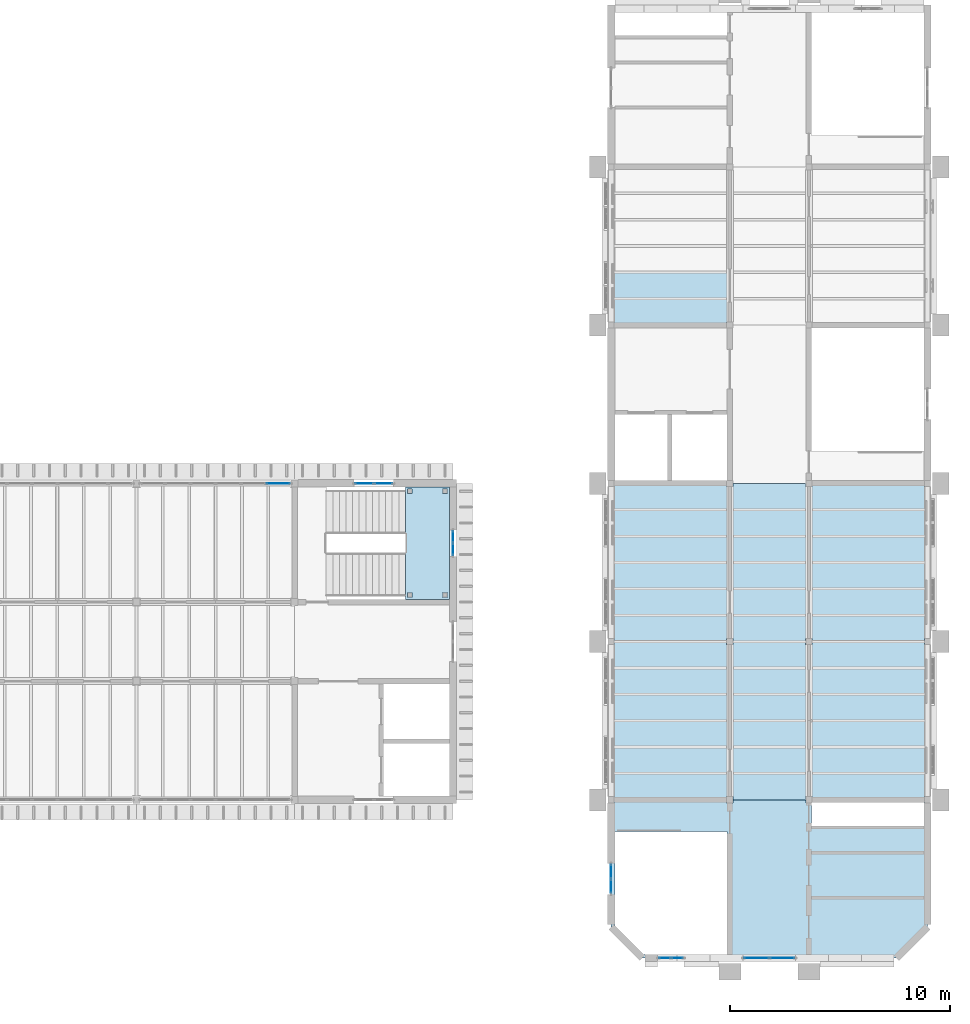
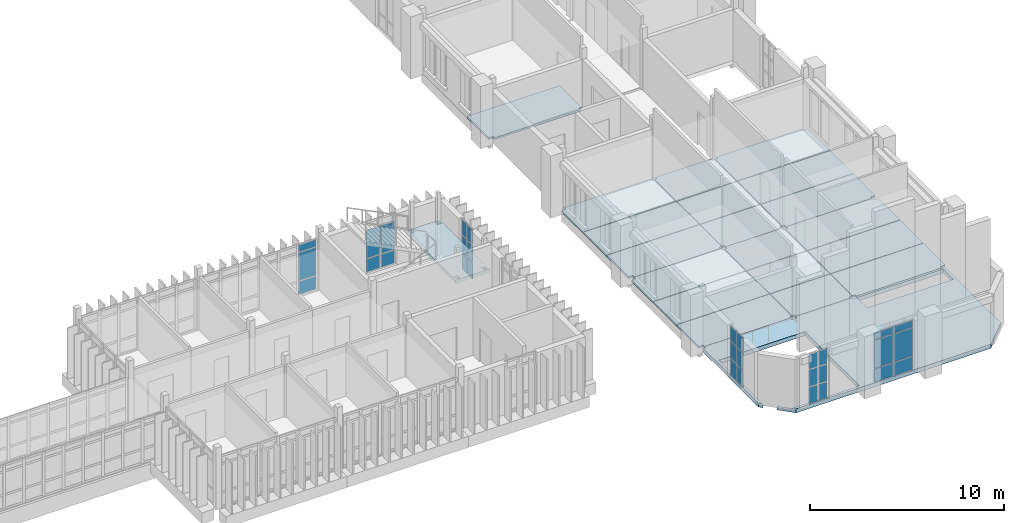
# One storey, part 36 of 71: 31 plates, 21 slabs, 7 elements without a shape of their own.
"""IFC4 building model written with IfcOpenShell, lengths in metres."""

from ifc_helpers import new_model, si_unit, direction, frame, origin, origin_2d, place, context, subcontext, project, spatial, polyline, rectangle, outline, extrude, material, layer, layer_set, type_object, element, aggregate, save


model = new_model("IFC4")

# Units and contexts
model_context = context("Model", 3, precision=1e-05, world=origin(), true_north=direction((0.0, 1.0)))
body_context = subcontext(model_context, "Body", "Model", "MODEL_VIEW")
ifc_project = project(units=[si_unit("LENGTHUNIT", "METRE"), si_unit("AREAUNIT", "SQUARE_METRE"), si_unit("VOLUMEUNIT", "CUBIC_METRE"), si_unit("PLANEANGLEUNIT", "RADIAN"), si_unit("MASSUNIT", "GRAM", prefix="KILO")], contexts=[model_context])

# Site, building, storey
site_placement = place(None, origin())
site = spatial("IfcSite", under=ifc_project, at=site_placement, CompositionType="ELEMENT")
building_placement = place(site_placement, origin())
building = spatial("IfcBuilding", under=site, at=building_placement, Name="Mazhai Court Health Centre", CompositionType="ELEMENT")
storey_placement = place(building_placement, frame((0.0, 0.0, 10.199951171875)))
storey = spatial("IfcBuildingStorey", under=building, at=storey_placement, Name="L02", CompositionType="ELEMENT", Elevation=10.199951171875)

# Slabs
ifc_material_1 = material(Name="CLT C24 5-ply", Category="wood")
ifc_layer_1 = layer(ifc_material_1, 0.1201171875)
ifc_layer_set_1 = layer_set([ifc_layer_1], Name="CLT C24 5-ply 120 floor panel")
slab_type_1 = type_object("IfcSlabType", Name="CLT C24 5-ply 120 floor panel", PredefinedType="FLOOR", material=ifc_layer_set_1)
slab_1_placement = place(storey_placement, frame((0.0, 0.0, -0.119873046875)))
element("IfcSlab", 1, at=slab_1_placement, inside=storey, type_object=slab_type_1, Name="slab-V6-L02-b1-A0", PredefinedType="FLOOR", context=body_context, shape_type="SweptSolid", body=[
    extrude(outline(polyline([(135.679931640625, 15.7900390625), (135.679931640625, 13.550048828125), (135.949951171875, 13.550048828125), (135.949951171875, 13.39990234375), (141.050048828125, 13.39990234375), (141.050048828125, 13.550048828125), (141.18994140625, 13.550048828125), (141.18994140625, 15.7900390625), (135.679931640625, 15.7900390625)])), origin(), (0.0, 0.0, 1.0), 0.119873046875),
])
slab_2_placement = place(storey_placement, frame((0.0, 0.0, -0.119873046875)))
element("IfcSlab", 2, at=slab_2_placement, inside=storey, type_object=slab_type_1, Name="slab-V6-L02-b1-A1", PredefinedType="FLOOR", context=body_context, shape_type="SweptSolid", body=[
    extrude(outline(polyline([(135.679931640625, 15.81005859375), (141.18994140625, 15.81005859375), (141.18994140625, 18.18994140625), (135.679931640625, 18.18994140625), (135.679931640625, 15.81005859375)])), origin(), (0.0, 0.0, 1.0), 0.119873046875),
])
slab_3_placement = place(storey_placement, frame((0.0, 0.0, -0.119873046875)))
element("IfcSlab", 3, at=slab_3_placement, inside=storey, type_object=slab_type_1, Name="slab-V6-L02-b1-A2", PredefinedType="FLOOR", context=body_context, shape_type="SweptSolid", body=[
    extrude(outline(polyline([(141.18994140625, 18.2099609375), (141.18994140625, 20.449951171875), (141.050048828125, 20.449951171875), (141.050048828125, 20.60009765625), (135.949951171875, 20.60009765625), (135.949951171875, 20.449951171875), (135.679931640625, 20.449951171875), (135.679931640625, 18.2099609375), (141.18994140625, 18.2099609375)])), origin(), (0.0, 0.0, 1.0), 0.119873046875),
])
slab_4_placement = place(storey_placement, frame((0.0, 0.0, -0.119873046875)))
element("IfcSlab", 4, at=slab_4_placement, inside=storey, type_object=slab_type_1, Name="slab-V6-L02-b1-C0", PredefinedType="FLOOR", context=body_context, shape_type="SweptSolid", body=[
    extrude(outline(polyline([(141.2099609375, 15.7900390625), (141.2099609375, 13.550048828125), (141.35009765625, 13.550048828125), (141.35009765625, 13.39990234375), (144.64990234375, 13.39990234375), (144.64990234375, 13.550048828125), (144.7900390625, 13.550048828125), (144.7900390625, 15.7900390625), (141.2099609375, 15.7900390625)])), origin(), (0.0, 0.0, 1.0), 0.119873046875),
])
slab_5_placement = place(storey_placement, frame((0.0, 0.0, -0.119873046875)))
element("IfcSlab", 5, at=slab_5_placement, inside=storey, type_object=slab_type_1, Name="slab-V6-L02-b1-C1", PredefinedType="FLOOR", context=body_context, shape_type="SweptSolid", body=[
    extrude(outline(polyline([(141.2099609375, 15.81005859375), (144.7900390625, 15.81005859375), (144.7900390625, 18.18994140625), (141.2099609375, 18.18994140625), (141.2099609375, 15.81005859375)])), origin(), (0.0, 0.0, 1.0), 0.119873046875),
])
slab_6_placement = place(storey_placement, frame((0.0, 0.0, -0.119873046875)))
element("IfcSlab", 6, at=slab_6_placement, inside=storey, type_object=slab_type_1, Name="slab-V6-L02-b1-C2", PredefinedType="FLOOR", context=body_context, shape_type="SweptSolid", body=[
    extrude(outline(polyline([(144.7900390625, 18.2099609375), (144.7900390625, 20.449951171875), (144.64990234375, 20.449951171875), (144.64990234375, 20.60009765625), (141.35009765625, 20.60009765625), (141.35009765625, 20.449951171875), (141.2099609375, 20.449951171875), (141.2099609375, 18.2099609375), (144.7900390625, 18.2099609375)])), origin(), (0.0, 0.0, 1.0), 0.119873046875),
])
slab_7_placement = place(storey_placement, frame((0.0, 0.0, -0.119873046875)))
element("IfcSlab", 7, at=slab_7_placement, inside=storey, type_object=slab_type_1, Name="slab-V6-L02-b1-B0", PredefinedType="FLOOR", context=body_context, shape_type="SweptSolid", body=[
    extrude(outline(polyline([(144.81005859375, 15.7900390625), (144.81005859375, 13.550048828125), (144.949951171875, 13.550048828125), (144.949951171875, 13.39990234375), (150.050048828125, 13.39990234375), (150.050048828125, 13.550048828125), (150.320068359375, 13.550048828125), (150.320068359375, 15.7900390625), (144.81005859375, 15.7900390625)])), origin(), (0.0, 0.0, 1.0), 0.119873046875),
])
slab_8_placement = place(storey_placement, frame((0.0, 0.0, -0.119873046875)))
element("IfcSlab", 8, at=slab_8_placement, inside=storey, type_object=slab_type_1, Name="slab-V6-L02-b1-B1", PredefinedType="FLOOR", context=body_context, shape_type="SweptSolid", body=[
    extrude(outline(polyline([(144.81005859375, 15.81005859375), (150.320068359375, 15.81005859375), (150.320068359375, 18.18994140625), (144.81005859375, 18.18994140625), (144.81005859375, 15.81005859375)])), origin(), (0.0, 0.0, 1.0), 0.119873046875),
])
slab_9_placement = place(storey_placement, frame((0.0, 0.0, -0.119873046875)))
element("IfcSlab", 9, at=slab_9_placement, inside=storey, type_object=slab_type_1, Name="slab-V6-L02-b1-B2", PredefinedType="FLOOR", context=body_context, shape_type="SweptSolid", body=[
    extrude(outline(polyline([(150.320068359375, 18.2099609375), (150.320068359375, 20.449951171875), (150.050048828125, 20.449951171875), (150.050048828125, 20.60009765625), (144.949951171875, 20.60009765625), (144.949951171875, 20.449951171875), (144.81005859375, 20.449951171875), (144.81005859375, 18.2099609375), (150.320068359375, 18.2099609375)])), origin(), (0.0, 0.0, 1.0), 0.119873046875),
])
slab_10_placement = place(storey_placement, frame((0.0, 0.0, -0.119873046875)))
element("IfcSlab", 10, at=slab_10_placement, inside=storey, type_object=slab_type_1, Name="slab-V6-L02-b2-A0", PredefinedType="FLOOR", context=body_context, shape_type="SweptSolid", body=[
    extrude(outline(polyline([(135.679931640625, 22.989990234375), (135.679931640625, 20.75), (135.949951171875, 20.75), (135.949951171875, 20.60009765625), (141.050048828125, 20.60009765625), (141.050048828125, 20.75), (141.18994140625, 20.75), (141.18994140625, 22.989990234375), (135.679931640625, 22.989990234375)])), origin(), (0.0, 0.0, 1.0), 0.119873046875),
])
slab_11_placement = place(storey_placement, frame((0.0, 0.0, -0.119873046875)))
element("IfcSlab", 11, at=slab_11_placement, inside=storey, type_object=slab_type_1, Name="slab-V6-L02-b2-A1", PredefinedType="FLOOR", context=body_context, shape_type="SweptSolid", body=[
    extrude(outline(polyline([(135.679931640625, 23.010009765625), (141.18994140625, 23.010009765625), (141.18994140625, 25.389892578125), (135.679931640625, 25.389892578125), (135.679931640625, 23.010009765625)])), origin(), (0.0, 0.0, 1.0), 0.119873046875),
])
slab_12_placement = place(storey_placement, frame((0.0, 0.0, -0.119873046875)))
element("IfcSlab", 12, at=slab_12_placement, inside=storey, type_object=slab_type_1, Name="slab-V6-L02-b2-A2", PredefinedType="FLOOR", context=body_context, shape_type="SweptSolid", body=[
    extrude(outline(polyline([(141.18994140625, 25.409912109375), (141.18994140625, 27.64990234375), (141.050048828125, 27.64990234375), (141.050048828125, 27.800048828125), (135.949951171875, 27.800048828125), (135.949951171875, 27.64990234375), (135.679931640625, 27.64990234375), (135.679931640625, 25.409912109375), (141.18994140625, 25.409912109375)])), origin(), (0.0, 0.0, 1.0), 0.119873046875),
])
slab_13_placement = place(storey_placement, frame((0.0, 0.0, -0.119873046875)))
element("IfcSlab", 13, at=slab_13_placement, inside=storey, type_object=slab_type_1, Name="slab-V6-L02-b2-C0", PredefinedType="FLOOR", context=body_context, shape_type="SweptSolid", body=[
    extrude(outline(polyline([(141.2099609375, 22.989990234375), (141.2099609375, 20.75), (141.35009765625, 20.75), (141.35009765625, 20.60009765625), (144.64990234375, 20.60009765625), (144.64990234375, 20.75), (144.7900390625, 20.75), (144.7900390625, 22.989990234375), (141.2099609375, 22.989990234375)])), origin(), (0.0, 0.0, 1.0), 0.119873046875),
])
slab_14_placement = place(storey_placement, frame((0.0, 0.0, -0.119873046875)))
element("IfcSlab", 14, at=slab_14_placement, inside=storey, type_object=slab_type_1, Name="slab-V6-L02-b2-C1", PredefinedType="FLOOR", context=body_context, shape_type="SweptSolid", body=[
    extrude(outline(polyline([(141.2099609375, 23.010009765625), (144.7900390625, 23.010009765625), (144.7900390625, 25.389892578125), (141.2099609375, 25.389892578125), (141.2099609375, 23.010009765625)])), origin(), (0.0, 0.0, 1.0), 0.119873046875),
])
slab_15_placement = place(storey_placement, frame((0.0, 0.0, -0.119873046875)))
element("IfcSlab", 15, at=slab_15_placement, inside=storey, type_object=slab_type_1, Name="slab-V6-L02-b2-C2", PredefinedType="FLOOR", context=body_context, shape_type="SweptSolid", body=[
    extrude(outline(polyline([(144.7900390625, 25.409912109375), (144.7900390625, 27.64990234375), (144.64990234375, 27.64990234375), (144.64990234375, 27.800048828125), (141.35009765625, 27.800048828125), (141.35009765625, 27.64990234375), (141.2099609375, 27.64990234375), (141.2099609375, 25.409912109375), (144.7900390625, 25.409912109375)])), origin(), (0.0, 0.0, 1.0), 0.119873046875),
])
slab_16_placement = place(storey_placement, frame((0.0, 0.0, -0.119873046875)))
element("IfcSlab", 16, at=slab_16_placement, inside=storey, type_object=slab_type_1, Name="slab-V6-L02-b2-B0", PredefinedType="FLOOR", context=body_context, shape_type="SweptSolid", body=[
    extrude(outline(polyline([(144.81005859375, 22.989990234375), (144.81005859375, 20.75), (144.949951171875, 20.75), (144.949951171875, 20.60009765625), (150.050048828125, 20.60009765625), (150.050048828125, 20.75), (150.320068359375, 20.75), (150.320068359375, 22.989990234375), (144.81005859375, 22.989990234375)])), origin(), (0.0, 0.0, 1.0), 0.119873046875),
])
slab_17_placement = place(storey_placement, frame((0.0, 0.0, -0.119873046875)))
element("IfcSlab", 17, at=slab_17_placement, inside=storey, type_object=slab_type_1, Name="slab-V6-L02-b2-B1", PredefinedType="FLOOR", context=body_context, shape_type="SweptSolid", body=[
    extrude(outline(polyline([(144.81005859375, 23.010009765625), (150.320068359375, 23.010009765625), (150.320068359375, 25.389892578125), (144.81005859375, 25.389892578125), (144.81005859375, 23.010009765625)])), origin(), (0.0, 0.0, 1.0), 0.119873046875),
])
slab_18_placement = place(storey_placement, frame((0.0, 0.0, -0.119873046875)))
element("IfcSlab", 18, at=slab_18_placement, inside=storey, type_object=slab_type_1, Name="slab-V6-L02-b2-B2", PredefinedType="FLOOR", context=body_context, shape_type="SweptSolid", body=[
    extrude(outline(polyline([(150.320068359375, 25.409912109375), (150.320068359375, 27.64990234375), (150.050048828125, 27.64990234375), (150.050048828125, 27.800048828125), (144.949951171875, 27.800048828125), (144.949951171875, 27.64990234375), (144.81005859375, 27.64990234375), (144.81005859375, 25.409912109375), (150.320068359375, 25.409912109375)])), origin(), (0.0, 0.0, 1.0), 0.119873046875),
])
slab_19_placement = place(storey_placement, frame((0.0, 0.0, -0.119873046875)))
element("IfcSlab", 19, at=slab_19_placement, inside=storey, type_object=slab_type_1, Name="slab-V6-L02-b4-A0", PredefinedType="FLOOR", context=body_context, shape_type="SweptSolid", body=[
    extrude(outline(polyline([(135.679931640625, 37.389892578125), (135.679931640625, 35.14990234375), (135.949951171875, 35.14990234375), (135.949951171875, 35.0), (141.050048828125, 35.0), (141.050048828125, 35.14990234375), (141.18994140625, 35.14990234375), (141.18994140625, 37.389892578125), (135.679931640625, 37.389892578125)])), origin(), (0.0, 0.0, 1.0), 0.119873046875),
])

# Curtain wall, plates
ifc_material_2 = material(Name="Teak timber frame, glazed", Category="wood")
ifc_layer_2 = layer(ifc_material_2, 0.10009765625)
ifc_layer_set_2 = layer_set([ifc_layer_2], Name="CURTAIN WALL TIMBER 900")
curtain_wall_type_1 = type_object("IfcCurtainWallType", Name="CURTAIN WALL TIMBER 900", PredefinedType="NOTDEFINED", material=ifc_layer_set_2)
curtain_wall_1_placement = place(storey_placement, origin())
curtain_wall_1 = element("IfcCurtainWall", 20, at=curtain_wall_1_placement, inside=storey, type_object=curtain_wall_type_1, Name="CW-V4-L02-B7", PredefinedType="NOTDEFINED")
ifc_material_3 = material(Name="Glass IGU 28 mm", Category="glass")
ifc_layer_3 = layer(ifc_material_3, 0.028076171875)
ifc_layer_set_3 = layer_set([ifc_layer_3], Name="CW PANEL IGU 28")
plate_type = type_object("IfcPlateType", Name="CW PANEL IGU 28", PredefinedType="CURTAIN_PANEL", material=ifc_layer_set_3)
plate_1_placement = place(storey_placement, frame((124.56494140625, 27.800048828125, 0.06005859375), z_axis=(0.0, 0.0, 1.0), x_axis=(1.0, 0.0, 0.0)))
plate_1 = element("IfcPlate", 21, at=plate_1_placement, type_object=plate_type, Name="CW panel 1.1", PredefinedType="CURTAIN_PANEL", context=body_context, shape_type="SweptSolid", body=[
    extrude(rectangle(XDim=0.81005859375, YDim=0.028076171875, at=origin_2d()), origin(), (0.0, 0.0, 1.0), 0.81005859375),
])
plate_2_placement = place(storey_placement, frame((124.56494140625, 27.800048828125, 0.93017578125), z_axis=(0.0, 0.0, 1.0), x_axis=(1.0, 0.0, 0.0)))
plate_2 = element("IfcPlate", 22, at=plate_2_placement, type_object=plate_type, Name="CW panel 1.2", PredefinedType="CURTAIN_PANEL", context=body_context, shape_type="SweptSolid", body=[
    extrude(rectangle(XDim=0.81005859375, YDim=0.028076171875, at=origin_2d()), origin(), (0.0, 0.0, 1.0), 1.739990234375),
])
plate_3_placement = place(storey_placement, frame((125.43505859375, 27.800048828125, 0.06005859375), z_axis=(0.0, 0.0, 1.0), x_axis=(1.0, 0.0, 0.0)))
plate_3 = element("IfcPlate", 23, at=plate_3_placement, type_object=plate_type, Name="CW panel 2.1", PredefinedType="CURTAIN_PANEL", context=body_context, shape_type="SweptSolid", body=[
    extrude(rectangle(XDim=0.81005859375, YDim=0.028076171875, at=origin_2d()), origin(), (0.0, 0.0, 1.0), 0.81005859375),
])
plate_4_placement = place(storey_placement, frame((125.43505859375, 27.800048828125, 0.93017578125), z_axis=(0.0, 0.0, 1.0), x_axis=(1.0, 0.0, 0.0)))
plate_4 = element("IfcPlate", 24, at=plate_4_placement, type_object=plate_type, Name="CW panel 2.2", PredefinedType="CURTAIN_PANEL", context=body_context, shape_type="SweptSolid", body=[
    extrude(rectangle(XDim=0.81005859375, YDim=0.028076171875, at=origin_2d()), origin(), (0.0, 0.0, 1.0), 1.739990234375),
])
aggregate(curtain_wall_1, [plate_1, plate_2, plate_3, plate_4])

ifc_material_4 = material(Name="Teak timber frame, glazed", Category="wood")
ifc_layer_4 = layer(ifc_material_4, 0.10009765625)
ifc_layer_set_4 = layer_set([ifc_layer_4], Name="CURTAIN WALL TIMBER 600")
curtain_wall_type_2 = type_object("IfcCurtainWallType", Name="CURTAIN WALL TIMBER 600", PredefinedType="NOTDEFINED", material=ifc_layer_set_4)
curtain_wall_2_placement = place(storey_placement, origin())
curtain_wall_2 = element("IfcCurtainWall", 25, at=curtain_wall_2_placement, inside=storey, type_object=curtain_wall_type_2, Name="CW-V4-L02-ESTAIR1", PredefinedType="NOTDEFINED")
plate_5_placement = place(storey_placement, frame((128.60009765625, 25.364990234375, 0.06005859375), z_axis=(0.0, 0.0, 1.0), x_axis=(0.0, -1.0, 0.0)))
plate_5 = element("IfcPlate", 26, at=plate_5_placement, type_object=plate_type, Name="CW panel 1.1", PredefinedType="CURTAIN_PANEL", context=body_context, shape_type="SweptSolid", body=[
    extrude(rectangle(XDim=0.510009765625, YDim=0.028076171875, at=origin_2d()), origin(), (0.0, 0.0, 1.0), 1.010009765625),
])
plate_6_placement = place(storey_placement, frame((128.60009765625, 25.364990234375, 1.130126953125), z_axis=(0.0, 0.0, 1.0), x_axis=(0.0, -1.0, 0.0)))
plate_6 = element("IfcPlate", 27, at=plate_6_placement, type_object=plate_type, Name="CW panel 1.2", PredefinedType="CURTAIN_PANEL", context=body_context, shape_type="SweptSolid", body=[
    extrude(rectangle(XDim=0.510009765625, YDim=0.028076171875, at=origin_2d()), origin(), (0.0, 0.0, 1.0), 1.0400390625),
])
plate_7_placement = place(storey_placement, frame((128.60009765625, 25.364990234375, 2.22998046875), z_axis=(0.0, 0.0, 1.0), x_axis=(0.0, -1.0, 0.0)))
plate_7 = element("IfcPlate", 28, at=plate_7_placement, type_object=plate_type, Name="CW panel 1.3", PredefinedType="CURTAIN_PANEL", context=body_context, shape_type="SweptSolid", body=[
    extrude(rectangle(XDim=0.510009765625, YDim=0.028076171875, at=origin_2d()), origin(), (0.0, 0.0, 1.0), 0.909912109375),
])
plate_8_placement = place(storey_placement, frame((128.60009765625, 24.794921875, 0.06005859375), z_axis=(0.0, 0.0, 1.0), x_axis=(0.0, -1.0, 0.0)))
plate_8 = element("IfcPlate", 29, at=plate_8_placement, type_object=plate_type, Name="CW panel 2.1", PredefinedType="CURTAIN_PANEL", context=body_context, shape_type="SweptSolid", body=[
    extrude(rectangle(XDim=0.510009765625, YDim=0.028076171875, at=origin_2d()), origin(), (0.0, 0.0, 1.0), 1.010009765625),
])
plate_9_placement = place(storey_placement, frame((128.60009765625, 24.794921875, 1.130126953125), z_axis=(0.0, 0.0, 1.0), x_axis=(0.0, -1.0, 0.0)))
plate_9 = element("IfcPlate", 30, at=plate_9_placement, type_object=plate_type, Name="CW panel 2.2", PredefinedType="CURTAIN_PANEL", context=body_context, shape_type="SweptSolid", body=[
    extrude(rectangle(XDim=0.510009765625, YDim=0.028076171875, at=origin_2d()), origin(), (0.0, 0.0, 1.0), 1.0400390625),
])
plate_10_placement = place(storey_placement, frame((128.60009765625, 24.794921875, 2.22998046875), z_axis=(0.0, 0.0, 1.0), x_axis=(0.0, -1.0, 0.0)))
plate_10 = element("IfcPlate", 31, at=plate_10_placement, type_object=plate_type, Name="CW panel 2.3", PredefinedType="CURTAIN_PANEL", context=body_context, shape_type="SweptSolid", body=[
    extrude(rectangle(XDim=0.510009765625, YDim=0.028076171875, at=origin_2d()), origin(), (0.0, 0.0, 1.0), 0.909912109375),
])
aggregate(curtain_wall_2, [plate_5, plate_6, plate_7, plate_8, plate_9, plate_10])

ifc_material_5 = material(Name="Teak timber frame, glazed", Category="wood")
ifc_layer_5 = layer(ifc_material_5, 0.10009765625)
ifc_layer_set_5 = layer_set([ifc_layer_5], Name="CURTAIN WALL TIMBER 1200")
curtain_wall_type_3 = type_object("IfcCurtainWallType", Name="CURTAIN WALL TIMBER 1200", PredefinedType="NOTDEFINED", material=ifc_layer_set_5)
curtain_wall_3_placement = place(storey_placement, origin())
curtain_wall_3 = element("IfcCurtainWall", 32, at=curtain_wall_3_placement, inside=storey, type_object=curtain_wall_type_3, Name="CW-V4-L02-B6", PredefinedType="NOTDEFINED")
plate_11_placement = place(storey_placement, frame((120.651611328125, 27.800048828125, 0.06005859375), z_axis=(0.0, 0.0, 1.0), x_axis=(1.0, 0.0, 0.0)))
plate_11 = element("IfcPlate", 33, at=plate_11_placement, type_object=plate_type, Name="CW panel 6.1", PredefinedType="CURTAIN_PANEL", context=body_context, shape_type="SweptSolid", body=[
    extrude(rectangle(XDim=1.056640625, YDim=0.028076171875, at=origin_2d()), origin(), (0.0, 0.0, 1.0), 0.81005859375),
])
plate_12_placement = place(storey_placement, frame((120.651611328125, 27.800048828125, 0.93017578125), z_axis=(0.0, 0.0, 1.0), x_axis=(1.0, 0.0, 0.0)))
plate_12 = element("IfcPlate", 34, at=plate_12_placement, type_object=plate_type, Name="CW panel 6.2", PredefinedType="CURTAIN_PANEL", context=body_context, shape_type="SweptSolid", body=[
    extrude(rectangle(XDim=1.056640625, YDim=0.028076171875, at=origin_2d()), origin(), (0.0, 0.0, 1.0), 1.739990234375),
])
plate_13_placement = place(storey_placement, frame((120.651611328125, 27.800048828125, 2.72998046875), z_axis=(0.0, 0.0, 1.0), x_axis=(1.0, 0.0, 0.0)))
plate_13 = element("IfcPlate", 35, at=plate_13_placement, type_object=plate_type, Name="CW panel 6.3", PredefinedType="CURTAIN_PANEL", context=body_context, shape_type="SweptSolid", body=[
    extrude(rectangle(XDim=1.056640625, YDim=0.028076171875, at=origin_2d()), origin(), (0.0, 0.0, 1.0), 0.429931640625),
])
aggregate(curtain_wall_3, [plate_11, plate_12, plate_13])

curtain_wall_4_placement = place(storey_placement, origin())
curtain_wall_4 = element("IfcCurtainWall", 36, at=curtain_wall_4_placement, inside=storey, type_object=curtain_wall_type_2, Name="CW-V6-L02-A0", PredefinedType="NOTDEFINED")
plate_14_placement = place(storey_placement, frame((135.800048828125, 9.465087890625, 0.06005859375), z_axis=(0.0, 0.0, 1.0), x_axis=(0.0, 1.0, 0.0)))
plate_14 = element("IfcPlate", 37, at=plate_14_placement, type_object=plate_type, Name="CW panel 1.1", PredefinedType="CURTAIN_PANEL", context=body_context, shape_type="SweptSolid", body=[
    extrude(rectangle(XDim=0.610107421875, YDim=0.028076171875, at=origin_2d()), origin(), (0.0, 0.0, 1.0), 1.010009765625),
])
plate_15_placement = place(storey_placement, frame((135.800048828125, 9.465087890625, 1.130126953125), z_axis=(0.0, 0.0, 1.0), x_axis=(0.0, 1.0, 0.0)))
plate_15 = element("IfcPlate", 38, at=plate_15_placement, type_object=plate_type, Name="CW panel 1.2", PredefinedType="CURTAIN_PANEL", context=body_context, shape_type="SweptSolid", body=[
    extrude(rectangle(XDim=0.610107421875, YDim=0.028076171875, at=origin_2d()), origin(), (0.0, 0.0, 1.0), 1.0400390625),
])
plate_16_placement = place(storey_placement, frame((135.800048828125, 9.465087890625, 2.22998046875), z_axis=(0.0, 0.0, 1.0), x_axis=(0.0, 1.0, 0.0)))
plate_16 = element("IfcPlate", 39, at=plate_16_placement, type_object=plate_type, Name="CW panel 1.3", PredefinedType="CURTAIN_PANEL", context=body_context, shape_type="SweptSolid", body=[
    extrude(rectangle(XDim=0.610107421875, YDim=0.028076171875, at=origin_2d()), origin(), (0.0, 0.0, 1.0), 0.909912109375),
])
plate_17_placement = place(storey_placement, frame((135.800048828125, 10.135009765625, 0.06005859375), z_axis=(0.0, 0.0, 1.0), x_axis=(0.0, 1.0, 0.0)))
plate_17 = element("IfcPlate", 40, at=plate_17_placement, type_object=plate_type, Name="CW panel 2.1", PredefinedType="CURTAIN_PANEL", context=body_context, shape_type="SweptSolid", body=[
    extrude(rectangle(XDim=0.610107421875, YDim=0.028076171875, at=origin_2d()), origin(), (0.0, 0.0, 1.0), 1.010009765625),
])
plate_18_placement = place(storey_placement, frame((135.800048828125, 10.135009765625, 1.130126953125), z_axis=(0.0, 0.0, 1.0), x_axis=(0.0, 1.0, 0.0)))
plate_18 = element("IfcPlate", 41, at=plate_18_placement, type_object=plate_type, Name="CW panel 2.2", PredefinedType="CURTAIN_PANEL", context=body_context, shape_type="SweptSolid", body=[
    extrude(rectangle(XDim=0.610107421875, YDim=0.028076171875, at=origin_2d()), origin(), (0.0, 0.0, 1.0), 1.0400390625),
])
plate_19_placement = place(storey_placement, frame((135.800048828125, 10.135009765625, 2.22998046875), z_axis=(0.0, 0.0, 1.0), x_axis=(0.0, 1.0, 0.0)))
plate_19 = element("IfcPlate", 42, at=plate_19_placement, type_object=plate_type, Name="CW panel 2.3", PredefinedType="CURTAIN_PANEL", context=body_context, shape_type="SweptSolid", body=[
    extrude(rectangle(XDim=0.610107421875, YDim=0.028076171875, at=origin_2d()), origin(), (0.0, 0.0, 1.0), 0.909912109375),
])
aggregate(curtain_wall_4, [plate_14, plate_15, plate_16, plate_17, plate_18, plate_19])

curtain_wall_5_placement = place(storey_placement, origin())
curtain_wall_5 = element("IfcCurtainWall", 43, at=curtain_wall_5_placement, inside=storey, type_object=curtain_wall_type_2, Name="CW-V6-L02-SSTAIR0", PredefinedType="NOTDEFINED")
plate_20_placement = place(storey_placement, frame((138.804931640625, 6.199951171875, 0.06005859375), z_axis=(0.0, 0.0, 1.0), x_axis=(-1.0, 0.0, 0.0)))
plate_20 = element("IfcPlate", 44, at=plate_20_placement, type_object=plate_type, Name="CW panel 1.1", PredefinedType="CURTAIN_PANEL", context=body_context, shape_type="SweptSolid", body=[
    extrude(rectangle(XDim=0.510009765625, YDim=0.028076171875, at=origin_2d()), origin(), (0.0, 0.0, 1.0), 1.010009765625),
])
plate_21_placement = place(storey_placement, frame((138.804931640625, 6.199951171875, 1.130126953125), z_axis=(0.0, 0.0, 1.0), x_axis=(-1.0, 0.0, 0.0)))
plate_21 = element("IfcPlate", 45, at=plate_21_placement, type_object=plate_type, Name="CW panel 1.2", PredefinedType="CURTAIN_PANEL", context=body_context, shape_type="SweptSolid", body=[
    extrude(rectangle(XDim=0.510009765625, YDim=0.028076171875, at=origin_2d()), origin(), (0.0, 0.0, 1.0), 1.0400390625),
])
plate_22_placement = place(storey_placement, frame((138.804931640625, 6.199951171875, 2.22998046875), z_axis=(0.0, 0.0, 1.0), x_axis=(-1.0, 0.0, 0.0)))
plate_22 = element("IfcPlate", 46, at=plate_22_placement, type_object=plate_type, Name="CW panel 1.3", PredefinedType="CURTAIN_PANEL", context=body_context, shape_type="SweptSolid", body=[
    extrude(rectangle(XDim=0.510009765625, YDim=0.028076171875, at=origin_2d()), origin(), (0.0, 0.0, 1.0), 0.909912109375),
])
plate_23_placement = place(storey_placement, frame((138.235107421875, 6.199951171875, 0.06005859375), z_axis=(0.0, 0.0, 1.0), x_axis=(-1.0, 0.0, 0.0)))
plate_23 = element("IfcPlate", 47, at=plate_23_placement, type_object=plate_type, Name="CW panel 2.1", PredefinedType="CURTAIN_PANEL", context=body_context, shape_type="SweptSolid", body=[
    extrude(rectangle(XDim=0.510009765625, YDim=0.028076171875, at=origin_2d()), origin(), (0.0, 0.0, 1.0), 1.010009765625),
])
plate_24_placement = place(storey_placement, frame((138.235107421875, 6.199951171875, 1.130126953125), z_axis=(0.0, 0.0, 1.0), x_axis=(-1.0, 0.0, 0.0)))
plate_24 = element("IfcPlate", 48, at=plate_24_placement, type_object=plate_type, Name="CW panel 2.2", PredefinedType="CURTAIN_PANEL", context=body_context, shape_type="SweptSolid", body=[
    extrude(rectangle(XDim=0.510009765625, YDim=0.028076171875, at=origin_2d()), origin(), (0.0, 0.0, 1.0), 1.0400390625),
])
plate_25_placement = place(storey_placement, frame((138.235107421875, 6.199951171875, 2.22998046875), z_axis=(0.0, 0.0, 1.0), x_axis=(-1.0, 0.0, 0.0)))
plate_25 = element("IfcPlate", 49, at=plate_25_placement, type_object=plate_type, Name="CW panel 2.3", PredefinedType="CURTAIN_PANEL", context=body_context, shape_type="SweptSolid", body=[
    extrude(rectangle(XDim=0.510009765625, YDim=0.028076171875, at=origin_2d()), origin(), (0.0, 0.0, 1.0), 0.909912109375),
])
aggregate(curtain_wall_5, [plate_20, plate_21, plate_22, plate_23, plate_24, plate_25])

curtain_wall_6_placement = place(storey_placement, origin())
curtain_wall_6 = element("IfcCurtainWall", 50, at=curtain_wall_6_placement, inside=storey, type_object=curtain_wall_type_3, Name="CW-V6-L02-SEND1", PredefinedType="NOTDEFINED")
plate_26_placement = place(storey_placement, frame((143.5849609375, 6.199951171875, 0.06005859375), z_axis=(0.0, 0.0, 1.0), x_axis=(-1.0, 0.0, 0.0)))
plate_26 = element("IfcPlate", 51, at=plate_26_placement, type_object=plate_type, Name="CW panel 1.1", PredefinedType="CURTAIN_PANEL", context=body_context, shape_type="SweptSolid", body=[
    extrude(rectangle(XDim=1.110107421875, YDim=0.028076171875, at=origin_2d()), origin(), (0.0, 0.0, 1.0), 0.81005859375),
])
plate_27_placement = place(storey_placement, frame((143.5849609375, 6.199951171875, 0.93017578125), z_axis=(0.0, 0.0, 1.0), x_axis=(-1.0, 0.0, 0.0)))
plate_27 = element("IfcPlate", 52, at=plate_27_placement, type_object=plate_type, Name="CW panel 1.2", PredefinedType="CURTAIN_PANEL", context=body_context, shape_type="SweptSolid", body=[
    extrude(rectangle(XDim=1.110107421875, YDim=0.028076171875, at=origin_2d()), origin(), (0.0, 0.0, 1.0), 1.739990234375),
])
plate_28_placement = place(storey_placement, frame((143.5849609375, 6.199951171875, 2.72998046875), z_axis=(0.0, 0.0, 1.0), x_axis=(-1.0, 0.0, 0.0)))
plate_28 = element("IfcPlate", 53, at=plate_28_placement, type_object=plate_type, Name="CW panel 1.3", PredefinedType="CURTAIN_PANEL", context=body_context, shape_type="SweptSolid", body=[
    extrude(rectangle(XDim=1.110107421875, YDim=0.028076171875, at=origin_2d()), origin(), (0.0, 0.0, 1.0), 0.409912109375),
])
plate_29_placement = place(storey_placement, frame((142.4150390625, 6.199951171875, 0.06005859375), z_axis=(0.0, 0.0, 1.0), x_axis=(-1.0, 0.0, 0.0)))
plate_29 = element("IfcPlate", 54, at=plate_29_placement, type_object=plate_type, Name="CW panel 2.1", PredefinedType="CURTAIN_PANEL", context=body_context, shape_type="SweptSolid", body=[
    extrude(rectangle(XDim=1.110107421875, YDim=0.028076171875, at=origin_2d()), origin(), (0.0, 0.0, 1.0), 0.81005859375),
])
plate_30_placement = place(storey_placement, frame((142.4150390625, 6.199951171875, 0.93017578125), z_axis=(0.0, 0.0, 1.0), x_axis=(-1.0, 0.0, 0.0)))
plate_30 = element("IfcPlate", 55, at=plate_30_placement, type_object=plate_type, Name="CW panel 2.2", PredefinedType="CURTAIN_PANEL", context=body_context, shape_type="SweptSolid", body=[
    extrude(rectangle(XDim=1.110107421875, YDim=0.028076171875, at=origin_2d()), origin(), (0.0, 0.0, 1.0), 1.739990234375),
])
plate_31_placement = place(storey_placement, frame((142.4150390625, 6.199951171875, 2.72998046875), z_axis=(0.0, 0.0, 1.0), x_axis=(-1.0, 0.0, 0.0)))
plate_31 = element("IfcPlate", 56, at=plate_31_placement, type_object=plate_type, Name="CW panel 2.3", PredefinedType="CURTAIN_PANEL", context=body_context, shape_type="SweptSolid", body=[
    extrude(rectangle(XDim=1.110107421875, YDim=0.028076171875, at=origin_2d()), origin(), (0.0, 0.0, 1.0), 0.409912109375),
])
aggregate(curtain_wall_6, [plate_26, plate_27, plate_28, plate_29, plate_30, plate_31])

# Slab
ifc_material_6 = material(Name="Concrete M40", Category="concrete")
ifc_layer_6 = layer(ifc_material_6, 0.25)
ifc_layer_set_6 = layer_set([ifc_layer_6], Name="RC CORE FLOOR 250 M40")
slab_type_2 = type_object("IfcSlabType", Name="RC CORE FLOOR 250 M40", PredefinedType="FLOOR", material=ifc_layer_set_6)
slab_20_placement = place(storey_placement, frame((0.0, 0.0, -0.25)))
element("IfcSlab", 57, at=slab_20_placement, inside=storey, type_object=slab_type_2, Name="core-C8-floor-L02", PredefinedType="FLOOR", context=body_context, shape_type="SweptSolid", body=[
    extrude(outline(polyline([(141.06005859375, 13.39990234375), (141.06005859375, 13.260009765625), (141.340087890625, 13.260009765625), (141.340087890625, 13.39990234375), (144.659912109375, 13.39990234375), (144.659912109375, 13.260009765625), (144.925048828125, 13.260009765625), (144.925048828125, 12.215087890625), (150.034912109375, 12.215087890625), (150.034912109375, 13.27490234375), (144.93994140625, 13.27490234375), (144.93994140625, 13.39990234375), (150.06005859375, 13.39990234375), (150.06005859375, 13.260009765625), (150.199951171875, 13.260009765625), (150.199951171875, 7.6142578125), (148.785888671875, 6.199951171875), (137.214111328125, 6.199951171875), (136.507080078125, 6.906982421875), (137.04931640625, 6.364990234375), (141.074951171875, 6.364990234375), (141.074951171875, 11.96337890625), (135.965087890625, 11.96337890625), (135.965087890625, 7.44921875), (135.800048828125, 7.6142578125), (135.800048828125, 13.260009765625), (135.93994140625, 13.260009765625), (135.93994140625, 13.39990234375), (141.06005859375, 13.39990234375)])), origin(), (0.0, 0.0, 1.0), 0.25),
])

# Stair, slab
ifc_material_7 = material(Name="Concrete M40", Category="concrete")
stair_type = type_object("IfcStairType", Name="RC STAIR 2000 26R", PredefinedType="DOUBLE_RETURN_STAIR", material=ifc_material_7)
stair_placement = place(storey_placement, origin())
stair = element("IfcStair", 58, at=stair_placement, inside=storey, type_object=stair_type, Name="L02 Stair 7", PredefinedType="HALF_TURN_STAIR")
ifc_material_8 = material(Name="Concrete M40", Category="concrete")
ifc_layer_7 = layer(ifc_material_8, 0.199951171875)
ifc_layer_set_7 = layer_set([ifc_layer_7], Name="RC STAIR LANDING 200 M40")
slab_type_3 = type_object("IfcSlabType", Name="RC STAIR LANDING 200 M40", PredefinedType="LANDING", material=ifc_layer_set_7)
slab_21_placement = place(storey_placement, frame((0.0, 0.0, 1.75)))
slab_21 = element("IfcSlab", 59, at=slab_21_placement, type_object=slab_type_3, Name="ST7 landing 1", PredefinedType="LANDING", context=body_context, shape_type="SweptSolid", body=[
    extrude(outline(polyline([(126.43505859375, 22.52490234375), (128.43505859375, 22.52490234375), (128.43505859375, 27.635009765625), (126.43505859375, 27.635009765625), (126.43505859375, 22.52490234375)]), holes=[polyline([(128.135009765625, 22.614990234375), (128.344970703125, 22.614990234375), (128.344970703125, 22.824951171875), (128.135009765625, 22.824951171875), (128.135009765625, 22.614990234375)]), polyline([(128.135009765625, 27.3349609375), (128.344970703125, 27.3349609375), (128.344970703125, 27.544921875), (128.135009765625, 27.544921875), (128.135009765625, 27.3349609375)]), polyline([(126.534912109375, 22.614990234375), (126.7451171875, 22.614990234375), (126.7451171875, 22.824951171875), (126.534912109375, 22.824951171875), (126.534912109375, 22.614990234375)]), polyline([(126.534912109375, 27.3349609375), (126.7451171875, 27.3349609375), (126.7451171875, 27.544921875), (126.534912109375, 27.544921875), (126.534912109375, 27.3349609375)])]), origin(), (0.0, 0.0, 1.0), 0.199951171875),
])
aggregate(stair, [slab_21])

save(model, "model.ifc")
